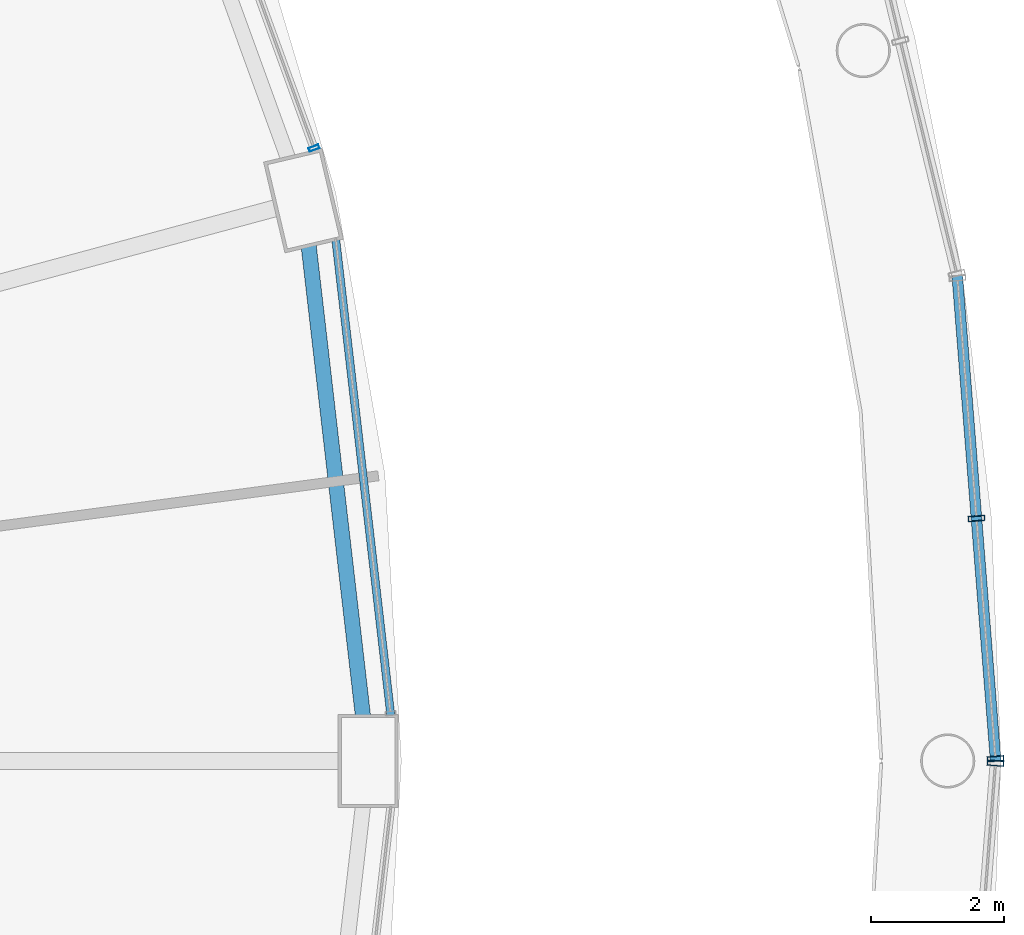
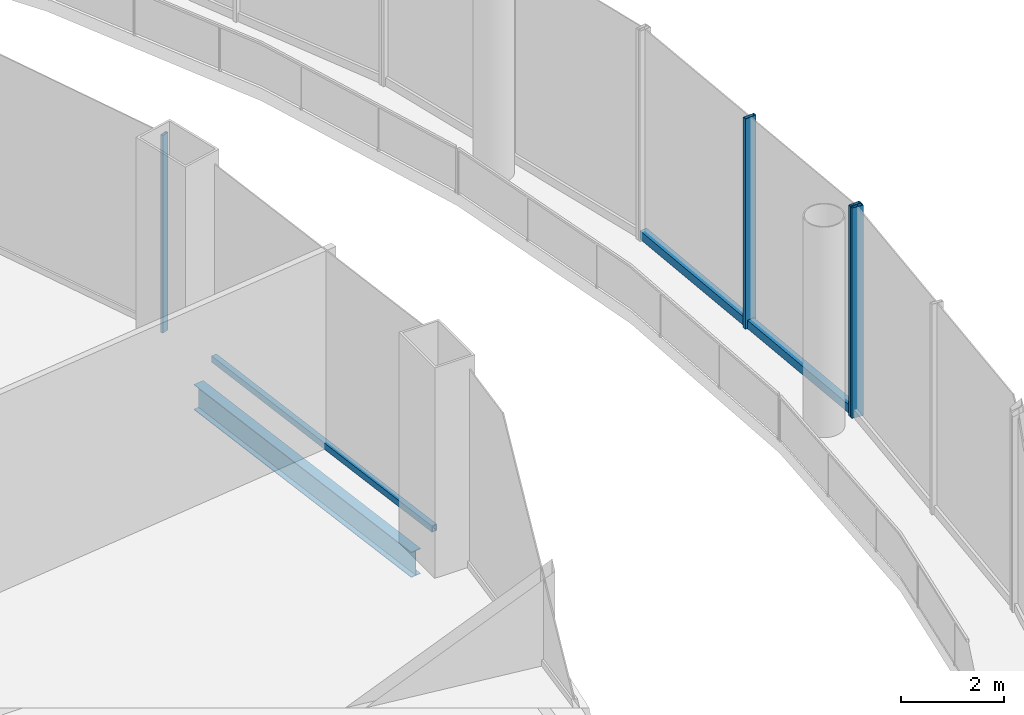
# One storey, part 26 of 48: 6 members, 1 beam, 4 elements without a shape of their own.
"""IFC4 building model written with IfcOpenShell, lengths in metres."""

import ifcopenshell
import ifcopenshell.guid

model = None  # the IFC model being written
_history = None  # IfcOwnerHistory: only IFC2X3 demands one
_inside = {}  # id of a spatial element -> (the spatial element, [elements in it])
_under = {}  # id of a project, library or spatial element -> (it, [spatial elements below it])
_declared = {}  # id of a project -> (the project, [libraries it declares])
_typed = {}  # id of a type object -> (the type object, [elements of that type])
_made_of = {}  # id of a material, layer set ... -> (it, [elements and type objects made of it])


def new_model(schema):
    """Start an empty IFC model of exactly this schema.

    Asked for "IFC4X3", IfcOpenShell would pick the latest addendum, in which some entities
    have other attributes; the version numbers below select the first issue.
    IFC2X3 requires an IfcOwnerHistory on every rooted entity: one is made here for all.
    """
    global model, _history
    if schema == "IFC4X3":
        model = ifcopenshell.file(schema_version=(4, 3, 0, 0))
    else:
        model = ifcopenshell.file(schema=schema)
    _inside.clear()
    _under.clear()
    _declared.clear()
    _typed.clear()
    _made_of.clear()
    _history = None
    if model.schema == "IFC2X3":
        org = make("IfcOrganization", Name="unknown")
        user = make(
            "IfcPersonAndOrganization",
            ThePerson=make("IfcPerson", FamilyName="unknown"),
            TheOrganization=org,
        )
        app = make(
            "IfcApplication",
            ApplicationDeveloper=org,
            Version="unknown",
            ApplicationFullName="unknown",
            ApplicationIdentifier="unknown",
        )
        _history = make(
            "IfcOwnerHistory",
            OwningUser=user,
            OwningApplication=app,
            ChangeAction="ADDED",
            CreationDate=0,
        )
    return model


def make(cls, **values):
    """One entity of the class cls with the attributes given. An attribute that is None is left unset."""
    return model.create_entity(
        cls, **{name: value for name, value in values.items() if value is not None}
    )


def rooted(cls, **values):
    """An entity with a GlobalId (a new one), such as an element, a storey or a relation."""
    return make(cls, GlobalId=ifcopenshell.guid.new(), OwnerHistory=_history, **values)


def si_unit(unit_type, name, prefix=None):
    """IfcSIUnit, for example si_unit("LENGTHUNIT", "METRE", prefix="MILLI")."""
    return make("IfcSIUnit", UnitType=unit_type, Prefix=prefix, Name=name)


def assignment(units):
    """IfcUnitAssignment: the units of a project."""
    return None if units is None else make("IfcUnitAssignment", Units=units)


def point(xyz):
    """IfcCartesianPoint."""
    return None if xyz is None else make("IfcCartesianPoint", Coordinates=xyz)


def direction(xyz):
    """IfcDirection."""
    return None if xyz is None else make("IfcDirection", DirectionRatios=xyz)


def frame(location, z_axis=None, x_axis=None):
    """IfcAxis2Placement3D, a coordinate frame: its origin and axes. An axis left out is left unset."""
    return make(
        "IfcAxis2Placement3D",
        Location=point(location),
        Axis=direction(z_axis),
        RefDirection=direction(x_axis),
    )


def frame_2d(location, x_axis=None):
    """IfcAxis2Placement2D, a coordinate frame in the plane: its origin and x axis."""
    return make(
        "IfcAxis2Placement2D", Location=point(location), RefDirection=direction(x_axis)
    )


def origin():
    """The frame at (0, 0, 0) with its axes left unset."""
    return frame((0.0, 0.0, 0.0))


def origin_2d():
    """The frame at (0, 0) in the plane with its x axis left unset."""
    return frame_2d((0.0, 0.0))


def place(relative_to, where):
    """IfcLocalPlacement: puts the frame where relative to a parent placement (None: the world)."""
    return make(
        "IfcLocalPlacement", PlacementRelTo=relative_to, RelativePlacement=where
    )


def context(
    kind, dimensions, precision=None, world=None, true_north=None, identifier=None
):
    """IfcGeometricRepresentationContext, for example the 3D "Model" context."""
    return make(
        "IfcGeometricRepresentationContext",
        ContextIdentifier=identifier,
        ContextType=kind,
        CoordinateSpaceDimension=dimensions,
        Precision=precision,
        WorldCoordinateSystem=world,
        TrueNorth=true_north,
    )


def subcontext(parent, identifier, kind, view, scale=None):
    """IfcGeometricRepresentationSubContext, for example "Body" below "Model"."""
    return make(
        "IfcGeometricRepresentationSubContext",
        ContextIdentifier=identifier,
        ContextType=kind,
        ParentContext=parent,
        TargetScale=scale,
        TargetView=view,
    )


def project(units=None, contexts=None):
    """IfcProject with its units and contexts."""
    return rooted(
        "IfcProject",
        Name="project",
        RepresentationContexts=contexts,
        UnitsInContext=assignment(units),
    )


def spatial(cls, under=None, at=None, **own):
    """A site, building, storey or space (cls), placed at a placement, below another one or the project."""
    s = rooted(cls, ObjectPlacement=at, **own)
    if under is not None:
        _under.setdefault(under.id(), (under, []))[1].append(s)
    return s


def profile(cls, at=None, kind="AREA", **sizes):
    """A parametric profile (cls). Its sizes go by their IFC names, for example OverallWidth=200.0."""
    return make(cls, ProfileType=kind, Position=at, **sizes)


def hollow_rectangle(**sizes):
    """IfcRectangleHollowProfileDef."""
    return profile("IfcRectangleHollowProfileDef", **sizes)


def i_section(**sizes):
    """IfcIShapeProfileDef."""
    return profile("IfcIShapeProfileDef", **sizes)


def extrude(swept, where, along, depth):
    """IfcExtrudedAreaSolid: the profile swept, set in the frame where, extruded along a direction by depth."""
    return make(
        "IfcExtrudedAreaSolid",
        SweptArea=swept,
        Position=where,
        ExtrudedDirection=direction(along),
        Depth=depth,
    )


def shape(context_of_items, identifier, shape_type, items):
    """IfcShapeRepresentation: the items that make up one representation, for example the "Body"."""
    return make(
        "IfcShapeRepresentation",
        ContextOfItems=context_of_items,
        RepresentationIdentifier=identifier,
        RepresentationType=shape_type,
        Items=items,
    )


def material(Name=None, Category=None):
    """IfcMaterial."""
    return make("IfcMaterial", Name=Name, Category=Category)


def layer(
    of_material, thickness, ventilated=None, Name=None, Category=None, Priority=None
):
    """IfcMaterialLayer: one layer of a wall or slab, of a material (None: an air gap)."""
    return make(
        "IfcMaterialLayer",
        Material=of_material,
        LayerThickness=thickness,
        IsVentilated=ventilated,
        Name=Name,
        Category=Category,
        Priority=Priority,
    )


def layer_set(layers, Name=None):
    """IfcMaterialLayerSet."""
    return make("IfcMaterialLayerSet", MaterialLayers=layers, LayerSetName=Name)


def material_profile(
    of_material, cross_section, Name=None, Category=None, Priority=None
):
    """IfcMaterialProfile: a cross section and its material."""
    return make(
        "IfcMaterialProfile",
        Name=Name,
        Material=of_material,
        Profile=cross_section,
        Priority=Priority,
        Category=Category,
    )


def profile_set(profiles, Name=None, composite=None):
    """IfcMaterialProfileSet."""
    return make(
        "IfcMaterialProfileSet",
        Name=Name,
        MaterialProfiles=profiles,
        CompositeProfile=composite,
    )


def made_of(thing, what):
    """Note that an element or type object is made of a material, layer set ...; save() writes the relation."""
    if what is not None:
        _made_of.setdefault(what.id(), (what, []))[1].append(thing)
    return thing


def type_object(cls, material=None, **own):
    """A type object (cls), such as IfcWallType, which elements share."""
    return made_of(rooted(cls, **own), material)


def element(
    cls,
    number,
    at=None,
    inside=None,
    cuts=None,
    type_object=None,
    material=None,
    context=None,
    identifier="Body",
    shape_type=None,
    held_by="IfcProductDefinitionShape",
    body=None,
    shapes=None,
    **own,
):
    """One element of the class cls, such as IfcWall. Its Tag is "e" and its number.

    at: its placement. inside: the storey or other place that contains it. cuts: it is an
    opening in that element (IfcRelVoidsElement). A single representation is given by context,
    identifier, shape_type and body (its items); several are given by shapes. held_by: the class
    of the entity that holds the representations. save() writes the other relations.
    """
    e = rooted(cls, Tag="e%d" % number, ObjectPlacement=at, **own)
    if body is not None:
        shapes = [shape(context, identifier, shape_type, body)]
    if shapes is not None:
        e.Representation = make(held_by, Representations=shapes)
    if inside is not None:
        _inside.setdefault(inside.id(), (inside, []))[1].append(e)
    if cuts is not None:
        rooted(
            "IfcRelVoidsElement", RelatingBuildingElement=cuts, RelatedOpeningElement=e
        )
    if type_object is not None:
        _typed.setdefault(type_object.id(), (type_object, []))[1].append(e)
    return made_of(e, material)


def aggregate(whole, parts):
    """IfcRelAggregates: a whole, such as a stair, and the parts it consists of."""
    return rooted("IfcRelAggregates", RelatingObject=whole, RelatedObjects=parts)


def save(model, path):
    """Write the relations noted so far, then the file.

    IfcRelAggregates (storeys below a building ...), IfcRelContainedInSpatialStructure (elements
    in a storey), IfcRelDefinesByType, IfcRelAssociatesMaterial and IfcRelDeclares: one each for
    every whole, place, type object, material and project.
    """
    for whole, parts in _under.values():
        aggregate(whole, parts)
    for where, things in _inside.values():
        rooted(
            "IfcRelContainedInSpatialStructure",
            RelatedElements=things,
            RelatingStructure=where,
        )
    for kind, things in _typed.values():
        rooted("IfcRelDefinesByType", RelatedObjects=things, RelatingType=kind)
    for what, things in _made_of.values():
        rooted("IfcRelAssociatesMaterial", RelatedObjects=things, RelatingMaterial=what)
    for by, libraries in _declared.values():
        rooted("IfcRelDeclares", RelatingContext=by, RelatedDefinitions=libraries)
    model.write(path)


model = new_model("IFC4")

# Units and contexts
model_context = context("Model", 3, precision=1e-05, world=origin(), true_north=direction((0.0, 1.0)))
body_context = subcontext(model_context, "Body", "Model", "MODEL_VIEW")
ifc_project = project(units=[si_unit("LENGTHUNIT", "METRE"), si_unit("AREAUNIT", "SQUARE_METRE"), si_unit("VOLUMEUNIT", "CUBIC_METRE"), si_unit("PLANEANGLEUNIT", "RADIAN"), si_unit("MASSUNIT", "GRAM", prefix="KILO")], contexts=[model_context])

# Site, building, storey
site_placement = place(None, origin())
site = spatial("IfcSite", under=ifc_project, at=site_placement, CompositionType="ELEMENT")
building_placement = place(site_placement, origin())
building = spatial("IfcBuilding", under=site, at=building_placement, Name="Nagisa Residences", CompositionType="ELEMENT")
storey_placement = place(building_placement, frame((0.0, 0.0, 12.0)))
storey = spatial("IfcBuildingStorey", under=building, at=storey_placement, Name="L02", CompositionType="ELEMENT", Elevation=12.0)

# Curtain wall, members
ifc_material_1 = material(Name="Stainless steel curtain wall system", Category="steel")
ifc_layer_1 = layer(ifc_material_1, 0.159912109375)
ifc_layer_set_1 = layer_set([ifc_layer_1], Name="CW3 CURTAIN WALL")
curtain_wall_type_1 = type_object("IfcCurtainWallType", Name="CW3 CURTAIN WALL", PredefinedType="NOTDEFINED", material=ifc_layer_set_1)
curtain_wall_1_placement = place(storey_placement, origin())
curtain_wall_1 = element("IfcCurtainWall", 1, at=curtain_wall_1_placement, inside=storey, type_object=curtain_wall_type_1, Name="cw:CW3:L02:00", PredefinedType="NOTDEFINED")
ifc_material_2 = material(Name="Stainless steel", Category="steel")
ifc_material_profile_1 = material_profile(ifc_material_2, hollow_rectangle(XDim=0.25, YDim=0.080078125, WallThickness=0.008056640625, at=origin_2d()), Name="CW3 MULLION 250x80")
ifc_profile_set_1 = profile_set([ifc_material_profile_1], Name="Stainless steel")
member_type_1 = type_object("IfcMemberType", Name="CW3 MULLION 250x80", PredefinedType="MULLION", material=ifc_profile_set_1)
member_1_placement = place(storey_placement, frame((41.51708984375, 0.033447265625, 0.0), z_axis=(0.0, 0.0, 1.0), x_axis=(-0.996881777235, -0.078909582539, 0.0)))
member_1 = element("IfcMember", 2, at=member_1_placement, type_object=member_type_1, Name="CW3 mullion", PredefinedType="MULLION", context=body_context, shape_type="SweptSolid", body=[
    extrude(hollow_rectangle(XDim=0.25, YDim=0.080078125, WallThickness=0.008056640625, at=origin_2d()), origin(), (0.0, 0.0, 1.0), 5.0),
])
member_2_placement = place(storey_placement, frame((41.231689453125, 3.640380859375, 0.0), z_axis=(0.0, 0.0, 1.0), x_axis=(-0.996881777235, -0.078909582539, 0.0)))
member_2 = element("IfcMember", 3, at=member_2_placement, type_object=member_type_1, Name="CW3 mullion", PredefinedType="MULLION", context=body_context, shape_type="SweptSolid", body=[
    extrude(hollow_rectangle(XDim=0.25, YDim=0.080078125, WallThickness=0.008056640625, at=origin_2d()), origin(), (0.0, 0.0, 1.0), 5.0),
])

# Curtain wall, member
curtain_wall_2_placement = place(storey_placement, origin())
curtain_wall_2 = element("IfcCurtainWall", 4, at=curtain_wall_2_placement, inside=storey, type_object=curtain_wall_type_1, Name="cw:CW3:L02:35", PredefinedType="NOTDEFINED")
member_3_placement = place(storey_placement, frame((41.51708984375, -0.033447265625, 0.0), z_axis=(0.0, 0.0, 1.0), x_axis=(-0.996881777235, 0.078909582539, 0.0)))
member_3 = element("IfcMember", 5, at=member_3_placement, type_object=member_type_1, Name="CW3 mullion", PredefinedType="MULLION", context=body_context, shape_type="SweptSolid", body=[
    extrude(hollow_rectangle(XDim=0.25, YDim=0.080078125, WallThickness=0.008056640625, at=origin_2d()), origin(), (0.0, 0.0, 1.0), 5.0),
])
aggregate(curtain_wall_2, [member_3])

# Member
ifc_material_3 = material(Name="Stainless steel", Category="steel")
ifc_material_profile_2 = material_profile(ifc_material_3, hollow_rectangle(XDim=0.159912109375, YDim=0.199951171875, WallThickness=0.008056640625, at=origin_2d()), Name="CW3 TRANSOM 160x200")
ifc_profile_set_2 = profile_set([ifc_material_profile_2], Name="Stainless steel")
member_type_2 = type_object("IfcMemberType", Name="CW3 TRANSOM 160x200", PredefinedType="USERDEFINED", material=ifc_profile_set_2)
member_4_placement = place(storey_placement, frame((41.520263671875, -0.00634765625, 0.10009765625), z_axis=(-0.078921540002, 0.996880830653, 0.0), x_axis=(-0.996880830653, -0.078921540002, 0.0)))
member_4 = element("IfcMember", 6, at=member_4_placement, type_object=member_type_2, Name="CW3 transom", ObjectType="TRANSOM", PredefinedType="USERDEFINED", context=body_context, shape_type="SweptSolid", body=[
    extrude(hollow_rectangle(XDim=0.159912109375, YDim=0.199951171875, WallThickness=0.008056640625, at=origin_2d()), origin(), (0.0, 0.0, 1.0), 7.31591796875),
])

aggregate(curtain_wall_1, [member_1, member_2, member_4])

# Curtain wall, member
ifc_material_4 = material(Name="Stainless steel curtain wall system", Category="steel")
ifc_layer_2 = layer(ifc_material_4, 0.159912109375)
ifc_layer_set_2 = layer_set([ifc_layer_2], Name="CW6 CURTAIN WALL")
curtain_wall_type_2 = type_object("IfcCurtainWallType", Name="CW6 CURTAIN WALL", PredefinedType="NOTDEFINED", material=ifc_layer_set_2)
curtain_wall_3_placement = place(storey_placement, origin())
curtain_wall_3 = element("IfcCurtainWall", 7, at=curtain_wall_3_placement, inside=storey, type_object=curtain_wall_type_2, Name="cw:CW6:L02:02", PredefinedType="NOTDEFINED")
ifc_material_5 = material(Name="Stainless steel", Category="steel")
ifc_material_profile_3 = material_profile(ifc_material_5, hollow_rectangle(XDim=0.159912109375, YDim=0.06005859375, WallThickness=0.006103515625, at=origin_2d()), Name="CW6 MULLION 160x60")
ifc_profile_set_3 = profile_set([ifc_material_profile_3], Name="Stainless steel")
member_type_3 = type_object("IfcMemberType", Name="CW6 MULLION 160x60", PredefinedType="MULLION", material=ifc_profile_set_3)
member_5_placement = place(storey_placement, frame((31.286865234375, 9.19970703125, 0.0), z_axis=(0.0, 0.0, 1.0), x_axis=(-0.939681861718, -0.342049702176, 0.0)))
member_5 = element("IfcMember", 8, at=member_5_placement, type_object=member_type_3, Name="CW6 mullion", PredefinedType="MULLION", context=body_context, shape_type="SweptSolid", body=[
    extrude(hollow_rectangle(XDim=0.159912109375, YDim=0.06005859375, WallThickness=0.006103515625, at=origin_2d()), origin(), (0.0, 0.0, 1.0), 4.699951171875),
])
aggregate(curtain_wall_3, [member_5])

curtain_wall_4_placement = place(storey_placement, origin())
curtain_wall_4 = element("IfcCurtainWall", 9, at=curtain_wall_4_placement, inside=storey, type_object=curtain_wall_type_2, Name="cw:CW6:L02:00", PredefinedType="NOTDEFINED")
ifc_material_6 = material(Name="Stainless steel", Category="steel")
ifc_material_profile_4 = material_profile(ifc_material_6, hollow_rectangle(XDim=0.1201171875, YDim=0.14990234375, WallThickness=0.008056640625, at=origin_2d()), Name="CW6 TRANSOM 120x150")
ifc_profile_set_4 = profile_set([ifc_material_profile_4], Name="Stainless steel")
member_type_4 = type_object("IfcMemberType", Name="CW6 TRANSOM 120x150", PredefinedType="USERDEFINED", material=ifc_profile_set_4)
member_6_placement = place(storey_placement, frame((32.440185546875, 0.686279296875, 0.074951171875), z_axis=(-0.114949818518, 0.993371299778, 0.0), x_axis=(-0.993371299778, -0.114949818518, 0.0)))
member_6 = element("IfcMember", 10, at=member_6_placement, type_object=member_type_4, Name="CW6 transom", ObjectType="TRANSOM", PredefinedType="USERDEFINED", context=body_context, shape_type="SweptSolid", body=[
    extrude(hollow_rectangle(XDim=0.1201171875, YDim=0.14990234375, WallThickness=0.008056640625, at=origin_2d()), origin(), (0.0, 0.0, 1.0), 7.19775390625),
])
aggregate(curtain_wall_4, [member_6])

# Beam
ifc_material_7 = material(Name="Steel ASTM A572 Gr 50", Category="steel")
ifc_material_profile_5 = material_profile(ifc_material_7, i_section(OverallWidth=0.22802734375, OverallDepth=0.60302734375, WebThickness=0.010498046875, FlangeThickness=0.014892578125, at=origin_2d()), Name="W610x101")
ifc_profile_set_5 = profile_set([ifc_material_profile_5], Name="Steel ASTM A572 Gr 50")
beam_type = type_object("IfcBeamType", Name="Perimeter ring beam W610x101", PredefinedType="BEAM", material=ifc_profile_set_5)
beam_placement = place(storey_placement, frame((32.021484375, 0.68017578125, -0.6015625), z_axis=(-0.114673717321, 0.993403210462, 0.0), x_axis=(-0.993403210462, -0.114673717321, 0.0)))
element("IfcBeam", 11, at=beam_placement, inside=storey, type_object=beam_type, Name="beam:L02:pb01", PredefinedType="BEAM", context=body_context, shape_type="SweptSolid", body=[
    extrude(i_section(OverallWidth=0.22802734375, OverallDepth=0.60302734375, WebThickness=0.010498046875, FlangeThickness=0.014892578125, at=origin_2d()), origin(), (0.0, 0.0, 1.0), 7.09814453125),
])

save(model, "model.ifc")
